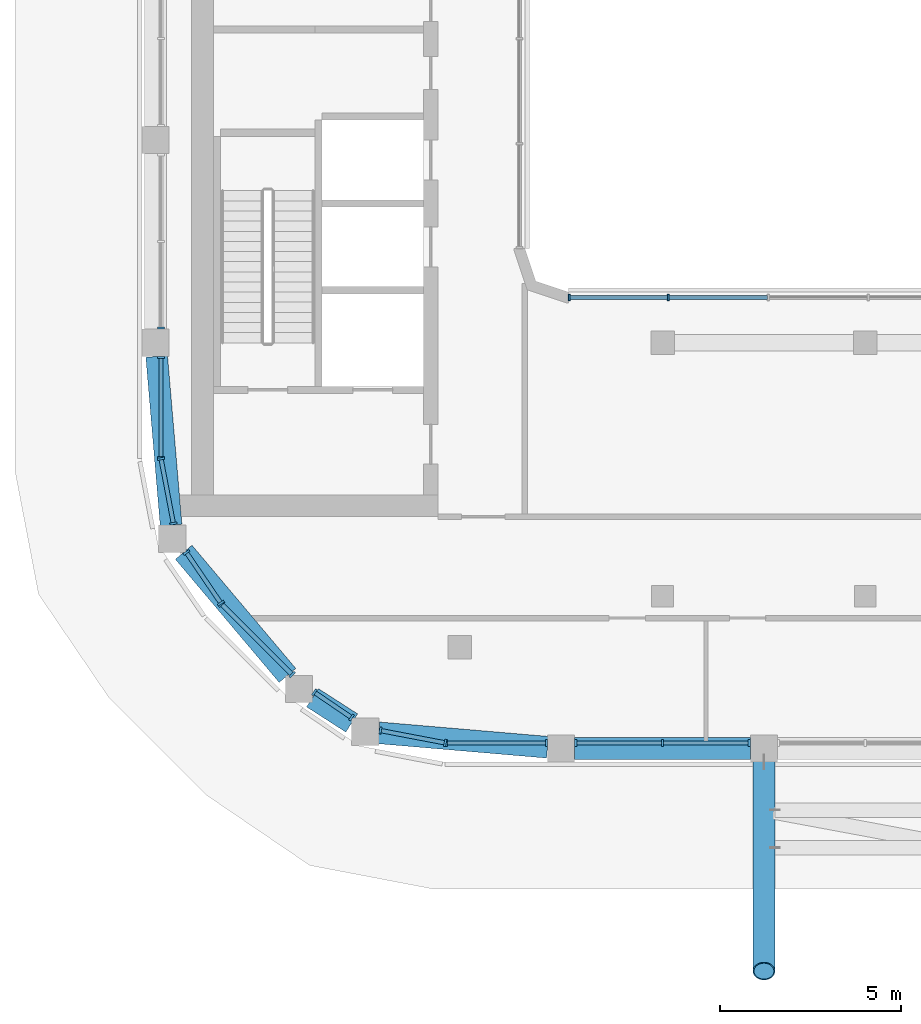
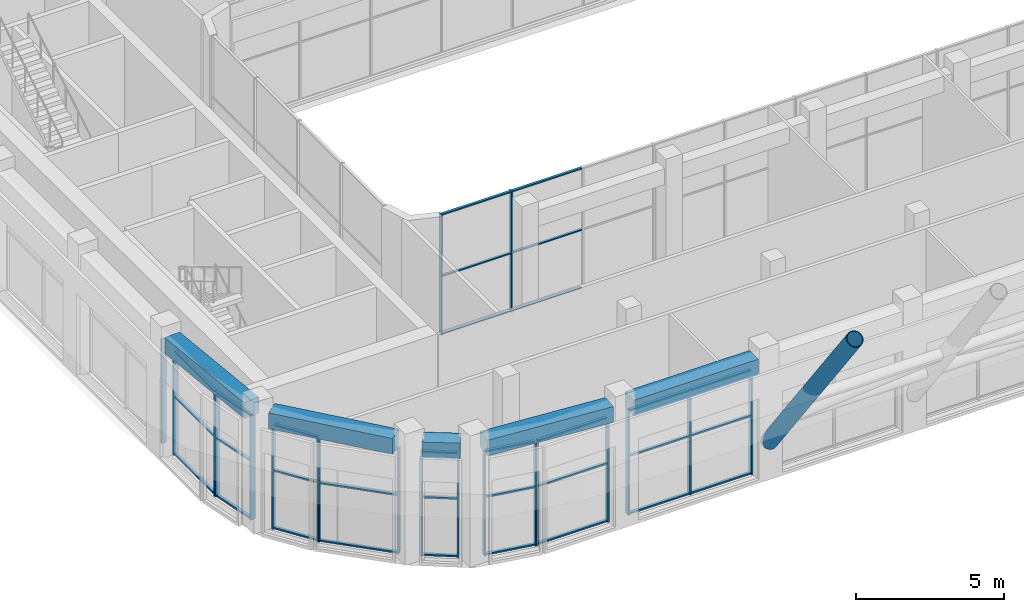
# One storey, part 2 of 24: 54 members, 5 beams, 10 elements without a shape of their own.
"""IFC4 building model written with IfcOpenShell, lengths in metres."""

from ifc_helpers import new_model, si_unit, direction, frame, origin, origin_2d, place, context, subcontext, project, spatial, rectangle, hollow_circle, extrude, material, layer, layer_set, material_profile, profile_set, type_object, element, aggregate, save


model = new_model("IFC4")

# Units and contexts
model_context = context("Model", 3, precision=1e-05, world=origin(), true_north=direction((0.0, 1.0)))
body_context = subcontext(model_context, "Body", "Model", "MODEL_VIEW")
ifc_project = project(units=[si_unit("LENGTHUNIT", "METRE"), si_unit("AREAUNIT", "SQUARE_METRE"), si_unit("VOLUMEUNIT", "CUBIC_METRE"), si_unit("PLANEANGLEUNIT", "RADIAN"), si_unit("MASSUNIT", "GRAM", prefix="KILO")], contexts=[model_context])

# Site, building, storey
site_placement = place(None, origin())
site = spatial("IfcSite", under=ifc_project, at=site_placement, CompositionType="ELEMENT")
building_placement = place(site_placement, origin())
building = spatial("IfcBuilding", under=site, at=building_placement, Name="Kiln Ring Residences", CompositionType="ELEMENT")
storey_placement = place(building_placement, frame((0.0, 0.0, 283.699951171875)))
storey = spatial("IfcBuildingStorey", under=building, at=storey_placement, Name="L74", CompositionType="ELEMENT", Elevation=283.699951171875)

# Curtain wall, members
ifc_material_1 = material(Name="Aluminium and glass", Category="aluminium")
ifc_layer_1 = layer(ifc_material_1, 0.199951171875)
ifc_layer_set_1 = layer_set([ifc_layer_1], Name="CW1 CURTAIN WALL")
curtain_wall_type_1 = type_object("IfcCurtainWallType", Name="CW1 CURTAIN WALL", PredefinedType="NOTDEFINED", material=ifc_layer_set_1)
placement = place(storey_placement, origin())
curtain_wall_1 = element("IfcCurtainWall", 1, at=placement, inside=storey, type_object=curtain_wall_type_1, Name="Curtain wall CW1 L74", PredefinedType="NOTDEFINED")
ifc_material_2 = material(Name="Aluminium 6063-T6", Category="aluminium")
ifc_material_profile_1 = material_profile(ifc_material_2, rectangle(XDim=0.199951171875, YDim=0.06005859375, at=origin_2d()), Name="AL 200x60")
ifc_profile_set_1 = profile_set([ifc_material_profile_1], Name="Aluminium 6063-T6")
member_type_1 = type_object("IfcMemberType", Name="CW1 MULLION 200 x 60", PredefinedType="MULLION", material=ifc_profile_set_1)
member_1_placement = place(storey_placement, frame((-23.375732421875, -15.6123046875, 0.0), z_axis=(0.0, 0.0, 1.0), x_axis=(0.707106781187, 0.707106781187, 0.0)))
member_1 = element("IfcMember", 2, at=member_1_placement, type_object=member_type_1, Name="CW1 mullion 1", PredefinedType="MULLION", context=body_context, shape_type="SweptSolid", body=[
    extrude(rectangle(XDim=0.199951171875, YDim=0.06005859375, at=origin_2d()), origin(), (0.0, 0.0, 1.0), 4.300048828125),
])
member_2_placement = place(storey_placement, frame((-21.42431640625, -17.5634765625, 0.0), z_axis=(0.0, 0.0, 1.0), x_axis=(0.707106781187, 0.707106781187, 0.0)))
member_2 = element("IfcMember", 3, at=member_2_placement, type_object=member_type_1, Name="CW1 mullion 2", PredefinedType="MULLION", context=body_context, shape_type="SweptSolid", body=[
    extrude(rectangle(XDim=0.199951171875, YDim=0.06005859375, at=origin_2d()), origin(), (0.0, 0.0, 1.0), 4.300048828125),
])

curtain_wall_2 = element("IfcCurtainWall", 4, at=placement, inside=storey, type_object=curtain_wall_type_1, Name="Curtain wall CW1 L74", PredefinedType="NOTDEFINED")
member_3_placement = place(storey_placement, frame((-20.8125, -18.051025390625, 0.0), z_axis=(0.0, 0.0, 1.0), x_axis=(0.562096651033, 0.827071553674, 0.0)))
member_3 = element("IfcMember", 5, at=member_3_placement, type_object=member_type_1, Name="CW1 mullion 1", PredefinedType="MULLION", context=body_context, shape_type="SweptSolid", body=[
    extrude(rectangle(XDim=0.199951171875, YDim=0.06005859375, at=origin_2d()), origin(), (0.0, 0.0, 1.0), 4.300048828125),
])
member_4_placement = place(storey_placement, frame((-19.789306640625, -18.746337890625, 0.0), z_axis=(0.0, 0.0, 1.0), x_axis=(0.562096651033, 0.827071553674, 0.0)))
member_4 = element("IfcMember", 6, at=member_4_placement, type_object=member_type_1, Name="CW1 mullion 2", PredefinedType="MULLION", context=body_context, shape_type="SweptSolid", body=[
    extrude(rectangle(XDim=0.199951171875, YDim=0.06005859375, at=origin_2d()), origin(), (0.0, 0.0, 1.0), 4.300048828125),
])

curtain_wall_3 = element("IfcCurtainWall", 7, at=placement, inside=storey, type_object=curtain_wall_type_1, Name="Curtain wall CW1 L74", PredefinedType="NOTDEFINED")
member_5_placement = place(storey_placement, frame((-18.990234375, -19.105712890625, 0.0), z_axis=(0.0, 0.0, 1.0), x_axis=(0.187365550364, 0.982290257784, 0.0)))
member_5 = element("IfcMember", 8, at=member_5_placement, type_object=member_type_1, Name="CW1 mullion 1", PredefinedType="MULLION", context=body_context, shape_type="SweptSolid", body=[
    extrude(rectangle(XDim=0.199951171875, YDim=0.06005859375, at=origin_2d()), origin(), (0.0, 0.0, 1.0), 4.300048828125),
])
member_6_placement = place(storey_placement, frame((-17.201416015625, -19.447021484375, 0.0), z_axis=(0.0, 0.0, 1.0), x_axis=(0.187365550364, 0.982290257784, 0.0)))
member_6 = element("IfcMember", 9, at=member_6_placement, type_object=member_type_1, Name="CW1 mullion 2", PredefinedType="MULLION", context=body_context, shape_type="SweptSolid", body=[
    extrude(rectangle(XDim=0.199951171875, YDim=0.06005859375, at=origin_2d()), origin(), (0.0, 0.0, 1.0), 4.300048828125),
])

curtain_wall_4 = element("IfcCurtainWall", 10, at=placement, inside=storey, type_object=curtain_wall_type_1, Name="Curtain wall CW1 L74", PredefinedType="NOTDEFINED")
member_7_placement = place(storey_placement, frame((-17.169921875, -19.449951171875, 0.0), z_axis=(0.0, 0.0, 1.0), x_axis=(0.0, 1.0, 0.0)))
member_7 = element("IfcMember", 11, at=member_7_placement, type_object=member_type_1, Name="CW1 mullion 1", PredefinedType="MULLION", context=body_context, shape_type="SweptSolid", body=[
    extrude(rectangle(XDim=0.199951171875, YDim=0.06005859375, at=origin_2d()), origin(), (0.0, 0.0, 1.0), 4.300048828125),
])
member_8_placement = place(storey_placement, frame((-14.405029296875, -19.449951171875, 0.0), z_axis=(0.0, 0.0, 1.0), x_axis=(0.0, 1.0, 0.0)))
member_8 = element("IfcMember", 12, at=member_8_placement, type_object=member_type_1, Name="CW1 mullion 2", PredefinedType="MULLION", context=body_context, shape_type="SweptSolid", body=[
    extrude(rectangle(XDim=0.199951171875, YDim=0.06005859375, at=origin_2d()), origin(), (0.0, 0.0, 1.0), 4.300048828125),
])

curtain_wall_5 = element("IfcCurtainWall", 13, at=placement, inside=storey, type_object=curtain_wall_type_1, Name="Curtain wall CW1 L74", PredefinedType="NOTDEFINED")
member_9_placement = place(storey_placement, frame((-13.594970703125, -19.449951171875, 0.0), z_axis=(0.0, 0.0, 1.0), x_axis=(0.0, 1.0, 0.0)))
member_9 = element("IfcMember", 14, at=member_9_placement, type_object=member_type_1, Name="CW1 mullion 1", PredefinedType="MULLION", context=body_context, shape_type="SweptSolid", body=[
    extrude(rectangle(XDim=0.199951171875, YDim=0.06005859375, at=origin_2d()), origin(), (0.0, 0.0, 1.0), 4.300048828125),
])
member_10_placement = place(storey_placement, frame((-11.199951171875, -19.449951171875, 0.0), z_axis=(0.0, 0.0, 1.0), x_axis=(0.0, 1.0, 0.0)))
member_10 = element("IfcMember", 15, at=member_10_placement, type_object=member_type_1, Name="CW1 mullion 2", PredefinedType="MULLION", context=body_context, shape_type="SweptSolid", body=[
    extrude(rectangle(XDim=0.199951171875, YDim=0.06005859375, at=origin_2d()), origin(), (0.0, 0.0, 1.0), 4.300048828125),
])
member_11_placement = place(storey_placement, frame((-8.804931640625, -19.449951171875, 0.0), z_axis=(0.0, 0.0, 1.0), x_axis=(0.0, 1.0, 0.0)))
member_11 = element("IfcMember", 16, at=member_11_placement, type_object=member_type_1, Name="CW1 mullion 3", PredefinedType="MULLION", context=body_context, shape_type="SweptSolid", body=[
    extrude(rectangle(XDim=0.199951171875, YDim=0.06005859375, at=origin_2d()), origin(), (0.0, 0.0, 1.0), 4.300048828125),
])

# Curtain wall, member
curtain_wall_6 = element("IfcCurtainWall", 17, at=placement, inside=storey, type_object=curtain_wall_type_1, Name="Curtain wall CW1 L74", PredefinedType="NOTDEFINED")
member_12_placement = place(storey_placement, frame((-25.050048828125, -7.9951171875, 0.0), z_axis=(0.0, 0.0, 1.0), x_axis=(1.0, 0.0, 0.0)))
member_12 = element("IfcMember", 18, at=member_12_placement, type_object=member_type_1, Name="CW1 mullion 3", PredefinedType="MULLION", context=body_context, shape_type="SweptSolid", body=[
    extrude(rectangle(XDim=0.199951171875, YDim=0.06005859375, at=origin_2d()), origin(), (0.0, 0.0, 1.0), 4.300048828125),
])
aggregate(curtain_wall_6, [member_12])

# Curtain wall, members
curtain_wall_7 = element("IfcCurtainWall", 19, at=placement, inside=storey, type_object=curtain_wall_type_1, Name="Curtain wall CW1 L74", PredefinedType="NOTDEFINED")
member_13_placement = place(storey_placement, frame((-25.050048828125, -8.804931640625, 0.0), z_axis=(0.0, 0.0, 1.0), x_axis=(1.0, 0.0, 0.0)))
member_13 = element("IfcMember", 20, at=member_13_placement, type_object=member_type_1, Name="CW1 mullion 1", PredefinedType="MULLION", context=body_context, shape_type="SweptSolid", body=[
    extrude(rectangle(XDim=0.199951171875, YDim=0.06005859375, at=origin_2d()), origin(), (0.0, 0.0, 1.0), 4.300048828125),
])
member_14_placement = place(storey_placement, frame((-25.050048828125, -11.570068359375, 0.0), z_axis=(0.0, 0.0, 1.0), x_axis=(1.0, 0.0, 0.0)))
member_14 = element("IfcMember", 21, at=member_14_placement, type_object=member_type_1, Name="CW1 mullion 2", PredefinedType="MULLION", context=body_context, shape_type="SweptSolid", body=[
    extrude(rectangle(XDim=0.199951171875, YDim=0.06005859375, at=origin_2d()), origin(), (0.0, 0.0, 1.0), 4.300048828125),
])

curtain_wall_8 = element("IfcCurtainWall", 22, at=placement, inside=storey, type_object=curtain_wall_type_1, Name="Curtain wall CW1 L74", PredefinedType="NOTDEFINED")
member_15_placement = place(storey_placement, frame((-25.047119140625, -11.601318359375, 0.0), z_axis=(0.0, 0.0, 1.0), x_axis=(0.982290257784, 0.187365550364, 0.0)))
member_15 = element("IfcMember", 23, at=member_15_placement, type_object=member_type_1, Name="CW1 mullion 1", PredefinedType="MULLION", context=body_context, shape_type="SweptSolid", body=[
    extrude(rectangle(XDim=0.199951171875, YDim=0.06005859375, at=origin_2d()), origin(), (0.0, 0.0, 1.0), 4.300048828125),
])
member_16_placement = place(storey_placement, frame((-24.705810546875, -13.39013671875, 0.0), z_axis=(0.0, 0.0, 1.0), x_axis=(0.982290257784, 0.187365550364, 0.0)))
member_16 = element("IfcMember", 24, at=member_16_placement, type_object=member_type_1, Name="CW1 mullion 2", PredefinedType="MULLION", context=body_context, shape_type="SweptSolid", body=[
    extrude(rectangle(XDim=0.199951171875, YDim=0.06005859375, at=origin_2d()), origin(), (0.0, 0.0, 1.0), 4.300048828125),
])

curtain_wall_9 = element("IfcCurtainWall", 25, at=placement, inside=storey, type_object=curtain_wall_type_1, Name="Curtain wall CW1 L74", PredefinedType="NOTDEFINED")
member_17_placement = place(storey_placement, frame((-24.34619140625, -14.189453125, 0.0), z_axis=(0.0, 0.0, 1.0), x_axis=(0.827071553606, 0.562096651134, 0.0)))
member_17 = element("IfcMember", 26, at=member_17_placement, type_object=member_type_1, Name="CW1 mullion 1", PredefinedType="MULLION", context=body_context, shape_type="SweptSolid", body=[
    extrude(rectangle(XDim=0.199951171875, YDim=0.06005859375, at=origin_2d()), origin(), (0.0, 0.0, 1.0), 4.300048828125),
])
member_18_placement = place(storey_placement, frame((-23.395751953125, -15.587890625, 0.0), z_axis=(0.0, 0.0, 1.0), x_axis=(0.827071553606, 0.562096651134, 0.0)))
member_18 = element("IfcMember", 27, at=member_18_placement, type_object=member_type_1, Name="CW1 mullion 2", PredefinedType="MULLION", context=body_context, shape_type="SweptSolid", body=[
    extrude(rectangle(XDim=0.199951171875, YDim=0.06005859375, at=origin_2d()), origin(), (0.0, 0.0, 1.0), 4.300048828125),
])

# Member
ifc_material_3 = material(Name="Aluminium 6063-T6", Category="aluminium")
ifc_material_profile_2 = material_profile(ifc_material_3, rectangle(XDim=0.1201171875, YDim=0.06005859375, at=origin_2d()), Name="AL 120x60")
ifc_profile_set_2 = profile_set([ifc_material_profile_2], Name="Aluminium 6063-T6")
member_type_2 = type_object("IfcMemberType", Name="CW1 TRANSOM 120 x 60", PredefinedType="USERDEFINED", material=ifc_profile_set_2)
member_19_placement = place(storey_placement, frame((-23.3544921875, -15.63330078125, 0.030029296875), z_axis=(0.707061565419, -0.707151994063, 0.0), x_axis=(0.707151994063, 0.707061565419, 0.0)))
member_19 = element("IfcMember", 28, at=member_19_placement, type_object=member_type_2, Name="CW1 transom 1.1", ObjectType="TRANSOM", PredefinedType="USERDEFINED", context=body_context, shape_type="SweptSolid", body=[
    extrude(rectangle(XDim=0.1201171875, YDim=0.06005859375, at=origin_2d()), origin(), (0.0, 0.0, 1.0), 2.69970703125),
])

member_20_placement = place(storey_placement, frame((-23.3544921875, -15.63330078125, 2.400146484375), z_axis=(0.707061565419, -0.707151994063, 0.0), x_axis=(0.707151994063, 0.707061565419, 0.0)))
member_20 = element("IfcMember", 29, at=member_20_placement, type_object=member_type_2, Name="CW1 transom 1.2", ObjectType="TRANSOM", PredefinedType="USERDEFINED", context=body_context, shape_type="SweptSolid", body=[
    extrude(rectangle(XDim=0.1201171875, YDim=0.06005859375, at=origin_2d()), origin(), (0.0, 0.0, 1.0), 2.69970703125),
])

member_21_placement = place(storey_placement, frame((-23.3544921875, -15.63330078125, 4.27001953125), z_axis=(0.707061565419, -0.707151994063, 0.0), x_axis=(0.707151994063, 0.707061565419, 0.0)))
member_21 = element("IfcMember", 30, at=member_21_placement, type_object=member_type_2, Name="CW1 transom 1.3", ObjectType="TRANSOM", PredefinedType="USERDEFINED", context=body_context, shape_type="SweptSolid", body=[
    extrude(rectangle(XDim=0.1201171875, YDim=0.06005859375, at=origin_2d()), origin(), (0.0, 0.0, 1.0), 2.69970703125),
])

aggregate(curtain_wall_1, [member_1, member_2, member_19, member_20, member_21])

member_22_placement = place(storey_placement, frame((-20.78759765625, -18.06787109375, 0.030029296875), z_axis=(0.827038372833, -0.562145470373, 0.0), x_axis=(0.562145470373, 0.827038372833, 0.0)))
member_22 = element("IfcMember", 31, at=member_22_placement, type_object=member_type_2, Name="CW1 transom 1.1", ObjectType="TRANSOM", PredefinedType="USERDEFINED", context=body_context, shape_type="SweptSolid", body=[
    extrude(rectangle(XDim=0.1201171875, YDim=0.06005859375, at=origin_2d()), origin(), (0.0, 0.0, 1.0), 1.177001953125),
])

member_23_placement = place(storey_placement, frame((-20.78759765625, -18.06787109375, 2.400146484375), z_axis=(0.827038372833, -0.562145470373, 0.0), x_axis=(0.562145470373, 0.827038372833, 0.0)))
member_23 = element("IfcMember", 32, at=member_23_placement, type_object=member_type_2, Name="CW1 transom 1.2", ObjectType="TRANSOM", PredefinedType="USERDEFINED", context=body_context, shape_type="SweptSolid", body=[
    extrude(rectangle(XDim=0.1201171875, YDim=0.06005859375, at=origin_2d()), origin(), (0.0, 0.0, 1.0), 1.177001953125),
])

member_24_placement = place(storey_placement, frame((-20.78759765625, -18.06787109375, 4.27001953125), z_axis=(0.827038372833, -0.562145470373, 0.0), x_axis=(0.562145470373, 0.827038372833, 0.0)))
member_24 = element("IfcMember", 33, at=member_24_placement, type_object=member_type_2, Name="CW1 transom 1.3", ObjectType="TRANSOM", PredefinedType="USERDEFINED", context=body_context, shape_type="SweptSolid", body=[
    extrude(rectangle(XDim=0.1201171875, YDim=0.06005859375, at=origin_2d()), origin(), (0.0, 0.0, 1.0), 1.177001953125),
])

aggregate(curtain_wall_2, [member_3, member_4, member_22, member_23, member_24])

member_25_placement = place(storey_placement, frame((-18.960693359375, -19.111328125, 0.030029296875), z_axis=(0.982280279114, -0.187417857375, 0.0), x_axis=(0.187417857375, 0.982280279114, 0.0)))
member_25 = element("IfcMember", 34, at=member_25_placement, type_object=member_type_2, Name="CW1 transom 1.1", ObjectType="TRANSOM", PredefinedType="USERDEFINED", context=body_context, shape_type="SweptSolid", body=[
    extrude(rectangle(XDim=0.1201171875, YDim=0.06005859375, at=origin_2d()), origin(), (0.0, 0.0, 1.0), 1.76123046875),
])

member_26_placement = place(storey_placement, frame((-18.960693359375, -19.111328125, 2.400146484375), z_axis=(0.982280279114, -0.187417857375, 0.0), x_axis=(0.187417857375, 0.982280279114, 0.0)))
member_26 = element("IfcMember", 35, at=member_26_placement, type_object=member_type_2, Name="CW1 transom 1.2", ObjectType="TRANSOM", PredefinedType="USERDEFINED", context=body_context, shape_type="SweptSolid", body=[
    extrude(rectangle(XDim=0.1201171875, YDim=0.06005859375, at=origin_2d()), origin(), (0.0, 0.0, 1.0), 1.76123046875),
])

member_27_placement = place(storey_placement, frame((-18.960693359375, -19.111328125, 4.27001953125), z_axis=(0.982280279114, -0.187417857375, 0.0), x_axis=(0.187417857375, 0.982280279114, 0.0)))
member_27 = element("IfcMember", 36, at=member_27_placement, type_object=member_type_2, Name="CW1 transom 1.3", ObjectType="TRANSOM", PredefinedType="USERDEFINED", context=body_context, shape_type="SweptSolid", body=[
    extrude(rectangle(XDim=0.1201171875, YDim=0.06005859375, at=origin_2d()), origin(), (0.0, 0.0, 1.0), 1.76123046875),
])

aggregate(curtain_wall_3, [member_5, member_6, member_25, member_26, member_27])

member_28_placement = place(storey_placement, frame((-17.139892578125, -19.449951171875, 0.030029296875), z_axis=(1.0, 0.0, 0.0), x_axis=(0.0, 1.0, 0.0)))
member_28 = element("IfcMember", 37, at=member_28_placement, type_object=member_type_2, Name="CW1 transom 1.1", ObjectType="TRANSOM", PredefinedType="USERDEFINED", context=body_context, shape_type="SweptSolid", body=[
    extrude(rectangle(XDim=0.1201171875, YDim=0.06005859375, at=origin_2d()), origin(), (0.0, 0.0, 1.0), 2.704833984375),
])

member_29_placement = place(storey_placement, frame((-17.139892578125, -19.449951171875, 2.400146484375), z_axis=(1.0, 0.0, 0.0), x_axis=(0.0, 1.0, 0.0)))
member_29 = element("IfcMember", 38, at=member_29_placement, type_object=member_type_2, Name="CW1 transom 1.2", ObjectType="TRANSOM", PredefinedType="USERDEFINED", context=body_context, shape_type="SweptSolid", body=[
    extrude(rectangle(XDim=0.1201171875, YDim=0.06005859375, at=origin_2d()), origin(), (0.0, 0.0, 1.0), 2.704833984375),
])

member_30_placement = place(storey_placement, frame((-17.139892578125, -19.449951171875, 4.27001953125), z_axis=(1.0, 0.0, 0.0), x_axis=(0.0, 1.0, 0.0)))
member_30 = element("IfcMember", 39, at=member_30_placement, type_object=member_type_2, Name="CW1 transom 1.3", ObjectType="TRANSOM", PredefinedType="USERDEFINED", context=body_context, shape_type="SweptSolid", body=[
    extrude(rectangle(XDim=0.1201171875, YDim=0.06005859375, at=origin_2d()), origin(), (0.0, 0.0, 1.0), 2.704833984375),
])

aggregate(curtain_wall_4, [member_7, member_8, member_28, member_29, member_30])

member_31_placement = place(storey_placement, frame((-13.56494140625, -19.449951171875, 0.030029296875), z_axis=(1.0, 0.0, 0.0), x_axis=(0.0, 1.0, 0.0)))
member_31 = element("IfcMember", 40, at=member_31_placement, type_object=member_type_2, Name="CW1 transom 1.1", ObjectType="TRANSOM", PredefinedType="USERDEFINED", context=body_context, shape_type="SweptSolid", body=[
    extrude(rectangle(XDim=0.1201171875, YDim=0.06005859375, at=origin_2d()), origin(), (0.0, 0.0, 1.0), 2.3349609375),
])

member_32_placement = place(storey_placement, frame((-13.56494140625, -19.449951171875, 2.400146484375), z_axis=(1.0, 0.0, 0.0), x_axis=(0.0, 1.0, 0.0)))
member_32 = element("IfcMember", 41, at=member_32_placement, type_object=member_type_2, Name="CW1 transom 1.2", ObjectType="TRANSOM", PredefinedType="USERDEFINED", context=body_context, shape_type="SweptSolid", body=[
    extrude(rectangle(XDim=0.1201171875, YDim=0.06005859375, at=origin_2d()), origin(), (0.0, 0.0, 1.0), 2.3349609375),
])

member_33_placement = place(storey_placement, frame((-13.56494140625, -19.449951171875, 4.27001953125), z_axis=(1.0, 0.0, 0.0), x_axis=(0.0, 1.0, 0.0)))
member_33 = element("IfcMember", 42, at=member_33_placement, type_object=member_type_2, Name="CW1 transom 1.3", ObjectType="TRANSOM", PredefinedType="USERDEFINED", context=body_context, shape_type="SweptSolid", body=[
    extrude(rectangle(XDim=0.1201171875, YDim=0.06005859375, at=origin_2d()), origin(), (0.0, 0.0, 1.0), 2.3349609375),
])

member_34_placement = place(storey_placement, frame((-11.169921875, -19.449951171875, 0.030029296875), z_axis=(1.0, 0.0, 0.0), x_axis=(0.0, 1.0, 0.0)))
member_34 = element("IfcMember", 43, at=member_34_placement, type_object=member_type_2, Name="CW1 transom 2.1", ObjectType="TRANSOM", PredefinedType="USERDEFINED", context=body_context, shape_type="SweptSolid", body=[
    extrude(rectangle(XDim=0.1201171875, YDim=0.06005859375, at=origin_2d()), origin(), (0.0, 0.0, 1.0), 2.3349609375),
])

member_35_placement = place(storey_placement, frame((-11.169921875, -19.449951171875, 2.400146484375), z_axis=(1.0, 0.0, 0.0), x_axis=(0.0, 1.0, 0.0)))
member_35 = element("IfcMember", 44, at=member_35_placement, type_object=member_type_2, Name="CW1 transom 2.2", ObjectType="TRANSOM", PredefinedType="USERDEFINED", context=body_context, shape_type="SweptSolid", body=[
    extrude(rectangle(XDim=0.1201171875, YDim=0.06005859375, at=origin_2d()), origin(), (0.0, 0.0, 1.0), 2.3349609375),
])

member_36_placement = place(storey_placement, frame((-11.169921875, -19.449951171875, 4.27001953125), z_axis=(1.0, 0.0, 0.0), x_axis=(0.0, 1.0, 0.0)))
member_36 = element("IfcMember", 45, at=member_36_placement, type_object=member_type_2, Name="CW1 transom 2.3", ObjectType="TRANSOM", PredefinedType="USERDEFINED", context=body_context, shape_type="SweptSolid", body=[
    extrude(rectangle(XDim=0.1201171875, YDim=0.06005859375, at=origin_2d()), origin(), (0.0, 0.0, 1.0), 2.3349609375),
])

aggregate(curtain_wall_5, [member_9, member_10, member_11, member_31, member_32, member_33, member_34, member_35, member_36])

member_37_placement = place(storey_placement, frame((-25.050048828125, -8.8349609375, 0.030029296875), z_axis=(0.0, -1.0, 0.0), x_axis=(1.0, 0.0, 0.0)))
member_37 = element("IfcMember", 46, at=member_37_placement, type_object=member_type_2, Name="CW1 transom 1.1", ObjectType="TRANSOM", PredefinedType="USERDEFINED", context=body_context, shape_type="SweptSolid", body=[
    extrude(rectangle(XDim=0.1201171875, YDim=0.06005859375, at=origin_2d()), origin(), (0.0, 0.0, 1.0), 2.705078125),
])

member_38_placement = place(storey_placement, frame((-25.050048828125, -8.8349609375, 2.400146484375), z_axis=(0.0, -1.0, 0.0), x_axis=(1.0, 0.0, 0.0)))
member_38 = element("IfcMember", 47, at=member_38_placement, type_object=member_type_2, Name="CW1 transom 1.2", ObjectType="TRANSOM", PredefinedType="USERDEFINED", context=body_context, shape_type="SweptSolid", body=[
    extrude(rectangle(XDim=0.1201171875, YDim=0.06005859375, at=origin_2d()), origin(), (0.0, 0.0, 1.0), 2.705078125),
])

member_39_placement = place(storey_placement, frame((-25.050048828125, -8.8349609375, 4.27001953125), z_axis=(0.0, -1.0, 0.0), x_axis=(1.0, 0.0, 0.0)))
member_39 = element("IfcMember", 48, at=member_39_placement, type_object=member_type_2, Name="CW1 transom 1.3", ObjectType="TRANSOM", PredefinedType="USERDEFINED", context=body_context, shape_type="SweptSolid", body=[
    extrude(rectangle(XDim=0.1201171875, YDim=0.06005859375, at=origin_2d()), origin(), (0.0, 0.0, 1.0), 2.705078125),
])

aggregate(curtain_wall_7, [member_13, member_14, member_37, member_38, member_39])

member_40_placement = place(storey_placement, frame((-25.04150390625, -11.630859375, 0.030029296875), z_axis=(0.187417857375, -0.982280279114, 0.0), x_axis=(0.982280279114, 0.187417857375, 0.0)))
member_40 = element("IfcMember", 49, at=member_40_placement, type_object=member_type_2, Name="CW1 transom 1.1", ObjectType="TRANSOM", PredefinedType="USERDEFINED", context=body_context, shape_type="SweptSolid", body=[
    extrude(rectangle(XDim=0.1201171875, YDim=0.06005859375, at=origin_2d()), origin(), (0.0, 0.0, 1.0), 1.76123046875),
])

member_41_placement = place(storey_placement, frame((-25.04150390625, -11.630859375, 2.400146484375), z_axis=(0.187417857375, -0.982280279114, 0.0), x_axis=(0.982280279114, 0.187417857375, 0.0)))
member_41 = element("IfcMember", 50, at=member_41_placement, type_object=member_type_2, Name="CW1 transom 1.2", ObjectType="TRANSOM", PredefinedType="USERDEFINED", context=body_context, shape_type="SweptSolid", body=[
    extrude(rectangle(XDim=0.1201171875, YDim=0.06005859375, at=origin_2d()), origin(), (0.0, 0.0, 1.0), 1.76123046875),
])

member_42_placement = place(storey_placement, frame((-25.04150390625, -11.630859375, 4.27001953125), z_axis=(0.187417857375, -0.982280279114, 0.0), x_axis=(0.982280279114, 0.187417857375, 0.0)))
member_42 = element("IfcMember", 51, at=member_42_placement, type_object=member_type_2, Name="CW1 transom 1.3", ObjectType="TRANSOM", PredefinedType="USERDEFINED", context=body_context, shape_type="SweptSolid", body=[
    extrude(rectangle(XDim=0.1201171875, YDim=0.06005859375, at=origin_2d()), origin(), (0.0, 0.0, 1.0), 1.76123046875),
])

aggregate(curtain_wall_8, [member_15, member_16, member_40, member_41, member_42])

member_43_placement = place(storey_placement, frame((-24.329345703125, -14.214111328125, 0.030029296875), z_axis=(0.562035692516, -0.827112979186, 0.0), x_axis=(0.827112979186, 0.562035692516, 0.0)))
member_43 = element("IfcMember", 52, at=member_43_placement, type_object=member_type_2, Name="CW1 transom 1.1", ObjectType="TRANSOM", PredefinedType="USERDEFINED", context=body_context, shape_type="SweptSolid", body=[
    extrude(rectangle(XDim=0.1201171875, YDim=0.06005859375, at=origin_2d()), origin(), (0.0, 0.0, 1.0), 1.631103515625),
])

member_44_placement = place(storey_placement, frame((-24.329345703125, -14.214111328125, 2.400146484375), z_axis=(0.562035692516, -0.827112979186, 0.0), x_axis=(0.827112979186, 0.562035692516, 0.0)))
member_44 = element("IfcMember", 53, at=member_44_placement, type_object=member_type_2, Name="CW1 transom 1.2", ObjectType="TRANSOM", PredefinedType="USERDEFINED", context=body_context, shape_type="SweptSolid", body=[
    extrude(rectangle(XDim=0.1201171875, YDim=0.06005859375, at=origin_2d()), origin(), (0.0, 0.0, 1.0), 1.631103515625),
])

member_45_placement = place(storey_placement, frame((-24.329345703125, -14.214111328125, 4.27001953125), z_axis=(0.562035692516, -0.827112979186, 0.0), x_axis=(0.827112979186, 0.562035692516, 0.0)))
member_45 = element("IfcMember", 54, at=member_45_placement, type_object=member_type_2, Name="CW1 transom 1.3", ObjectType="TRANSOM", PredefinedType="USERDEFINED", context=body_context, shape_type="SweptSolid", body=[
    extrude(rectangle(XDim=0.1201171875, YDim=0.06005859375, at=origin_2d()), origin(), (0.0, 0.0, 1.0), 1.631103515625),
])

aggregate(curtain_wall_9, [member_17, member_18, member_43, member_44, member_45])

# Curtain wall, members
ifc_material_4 = material(Name="Aluminium and glass", Category="aluminium")
ifc_layer_2 = layer(ifc_material_4, 0.179931640625)
ifc_layer_set_2 = layer_set([ifc_layer_2], Name="CW3 CURTAIN WALL")
curtain_wall_type_2 = type_object("IfcCurtainWallType", Name="CW3 CURTAIN WALL", PredefinedType="NOTDEFINED", material=ifc_layer_set_2)
curtain_wall_10 = element("IfcCurtainWall", 55, at=placement, inside=storey, type_object=curtain_wall_type_2, Name="Curtain wall CW3 L74", PredefinedType="NOTDEFINED")
ifc_material_5 = material(Name="Aluminium 6063-T6", Category="aluminium")
ifc_material_profile_3 = material_profile(ifc_material_5, rectangle(XDim=0.179931640625, YDim=0.050048828125, at=origin_2d()), Name="AL 180x50")
ifc_profile_set_3 = profile_set([ifc_material_profile_3], Name="Aluminium 6063-T6")
member_type_3 = type_object("IfcMemberType", Name="CW3 MULLION 180 x 50", PredefinedType="MULLION", material=ifc_profile_set_3)
member_46_placement = place(storey_placement, frame((-11.0400390625, -7.14990234375, 0.0), z_axis=(0.0, 0.0, 1.0), x_axis=(0.0, -1.0, 0.0)))
member_46 = element("IfcMember", 56, at=member_46_placement, type_object=member_type_3, Name="CW3 mullion 10", PredefinedType="MULLION", context=body_context, shape_type="SweptSolid", body=[
    extrude(rectangle(XDim=0.179931640625, YDim=0.050048828125, at=origin_2d()), origin(), (0.0, 0.0, 1.0), 4.949951171875),
])
member_47_placement = place(storey_placement, frame((-13.77490234375, -7.14990234375, 0.0), z_axis=(0.0, 0.0, 1.0), x_axis=(0.0, -1.0, 0.0)))
member_47 = element("IfcMember", 57, at=member_47_placement, type_object=member_type_3, Name="CW3 mullion 11", PredefinedType="MULLION", context=body_context, shape_type="SweptSolid", body=[
    extrude(rectangle(XDim=0.179931640625, YDim=0.050048828125, at=origin_2d()), origin(), (0.0, 0.0, 1.0), 4.949951171875),
])
ifc_material_6 = material(Name="Aluminium 6063-T6", Category="aluminium")
ifc_material_profile_4 = material_profile(ifc_material_6, rectangle(XDim=0.10009765625, YDim=0.050048828125, at=origin_2d()), Name="AL 100x50")
ifc_profile_set_4 = profile_set([ifc_material_profile_4], Name="Aluminium 6063-T6")
member_type_4 = type_object("IfcMemberType", Name="CW3 TRANSOM 100 x 50", PredefinedType="USERDEFINED", material=ifc_profile_set_4)
member_48_placement = place(storey_placement, frame((-8.304931640625, -7.14990234375, 0.025146484375), z_axis=(-1.0, 0.0, 0.0), x_axis=(0.0, -1.0, 0.0)))
member_48 = element("IfcMember", 58, at=member_48_placement, type_object=member_type_4, Name="CW3 transom 9.1", ObjectType="TRANSOM", PredefinedType="USERDEFINED", context=body_context, shape_type="SweptSolid", body=[
    extrude(rectangle(XDim=0.10009765625, YDim=0.050048828125, at=origin_2d()), origin(), (0.0, 0.0, 1.0), 2.7099609375),
])
member_49_placement = place(storey_placement, frame((-8.304931640625, -7.14990234375, 2.400146484375), z_axis=(-1.0, 0.0, 0.0), x_axis=(0.0, -1.0, 0.0)))
member_49 = element("IfcMember", 59, at=member_49_placement, type_object=member_type_4, Name="CW3 transom 9.2", ObjectType="TRANSOM", PredefinedType="USERDEFINED", context=body_context, shape_type="SweptSolid", body=[
    extrude(rectangle(XDim=0.10009765625, YDim=0.050048828125, at=origin_2d()), origin(), (0.0, 0.0, 1.0), 2.7099609375),
])
member_50_placement = place(storey_placement, frame((-8.304931640625, -7.14990234375, 4.925048828125), z_axis=(-1.0, 0.0, 0.0), x_axis=(0.0, -1.0, 0.0)))
member_50 = element("IfcMember", 60, at=member_50_placement, type_object=member_type_4, Name="CW3 transom 9.3", ObjectType="TRANSOM", PredefinedType="USERDEFINED", context=body_context, shape_type="SweptSolid", body=[
    extrude(rectangle(XDim=0.10009765625, YDim=0.050048828125, at=origin_2d()), origin(), (0.0, 0.0, 1.0), 2.7099609375),
])
member_51_placement = place(storey_placement, frame((-11.06494140625, -7.14990234375, 0.025146484375), z_axis=(-1.0, 0.0, 0.0), x_axis=(0.0, -1.0, 0.0)))
member_51 = element("IfcMember", 61, at=member_51_placement, type_object=member_type_4, Name="CW3 transom 10.1", ObjectType="TRANSOM", PredefinedType="USERDEFINED", context=body_context, shape_type="SweptSolid", body=[
    extrude(rectangle(XDim=0.10009765625, YDim=0.050048828125, at=origin_2d()), origin(), (0.0, 0.0, 1.0), 2.68505859375),
])
member_52_placement = place(storey_placement, frame((-11.06494140625, -7.14990234375, 2.400146484375), z_axis=(-1.0, 0.0, 0.0), x_axis=(0.0, -1.0, 0.0)))
member_52 = element("IfcMember", 62, at=member_52_placement, type_object=member_type_4, Name="CW3 transom 10.2", ObjectType="TRANSOM", PredefinedType="USERDEFINED", context=body_context, shape_type="SweptSolid", body=[
    extrude(rectangle(XDim=0.10009765625, YDim=0.050048828125, at=origin_2d()), origin(), (0.0, 0.0, 1.0), 2.68505859375),
])
member_53_placement = place(storey_placement, frame((-11.06494140625, -7.14990234375, 4.925048828125), z_axis=(-1.0, 0.0, 0.0), x_axis=(0.0, -1.0, 0.0)))
member_53 = element("IfcMember", 63, at=member_53_placement, type_object=member_type_4, Name="CW3 transom 10.3", ObjectType="TRANSOM", PredefinedType="USERDEFINED", context=body_context, shape_type="SweptSolid", body=[
    extrude(rectangle(XDim=0.10009765625, YDim=0.050048828125, at=origin_2d()), origin(), (0.0, 0.0, 1.0), 2.68505859375),
])
aggregate(curtain_wall_10, [member_46, member_47, member_48, member_49, member_50, member_51, member_52, member_53])

# Member
ifc_material_7 = material(Name="Steel S460", Category="steel")
ifc_material_profile_5 = material_profile(ifc_material_7, hollow_circle(Radius=0.304931640625, WallThickness=0.030029296875, at=origin_2d()), Name="CHS610x30")
ifc_profile_set_5 = profile_set([ifc_material_profile_5], Name="Steel S460")
member_type_5 = type_object("IfcMemberType", Name="Pool knee brace CHS610x30 S460", PredefinedType="BRACE", material=ifc_profile_set_5)
member_54_placement = place(storey_placement, frame((-8.39990234375, -19.97509765625, 1.5), z_axis=(0.0, -0.59999594151, 0.800003043852), x_axis=(1.0, 0.0, 0.0)))
element("IfcMember", 64, at=member_54_placement, inside=storey, type_object=member_type_5, Name="Pool knee brace L74 1", PredefinedType="BRACE", context=body_context, shape_type="SweptSolid", body=[
    extrude(hollow_circle(Radius=0.304931640625, WallThickness=0.030029296875, at=origin_2d()), origin(), (0.0, 0.0, 1.0), 9.625),
])

# Beams
ifc_material_8 = material(Name="Concrete C50/60", Category="concrete")
ifc_material_profile_6 = material_profile(ifc_material_8, rectangle(XDim=0.60009765625, YDim=0.64990234375, at=origin_2d()), Name="RC600x650")
ifc_profile_set_6 = profile_set([ifc_material_profile_6], Name="Concrete C50/60")
beam_type = type_object("IfcBeamType", Name="Spandrel beam RC600x650 C50/60", PredefinedType="SPANDREL", material=ifc_profile_set_6)
beam_1_placement = place(storey_placement, frame((-19.03369140625, -19.170166015625, 4.625), z_axis=(0.996375913916, -0.085059027553, 0.0), x_axis=(0.085059027553, 0.996375913916, 0.0)))
element("IfcBeam", 65, at=beam_1_placement, inside=storey, type_object=beam_type, Name="Spandrel beam L74 1", PredefinedType="SPANDREL", context=body_context, shape_type="SweptSolid", body=[
    extrude(rectangle(XDim=0.60009765625, YDim=0.64990234375, at=origin_2d()), origin(), (0.0, 0.0, 1.0), 4.675537109375),
])
beam_2_placement = place(storey_placement, frame((-13.625, -19.60009765625, 4.625), z_axis=(1.0, 0.0, 0.0), x_axis=(0.0, 1.0, 0.0)))
element("IfcBeam", 66, at=beam_2_placement, inside=storey, type_object=beam_type, Name="Spandrel beam L74 2", PredefinedType="SPANDREL", context=body_context, shape_type="SweptSolid", body=[
    extrude(rectangle(XDim=0.60009765625, YDim=0.64990234375, at=origin_2d()), origin(), (0.0, 0.0, 1.0), 4.85009765625),
])
beam_3_placement = place(storey_placement, frame((-25.16796875, -8.77490234375, 4.625), z_axis=(0.085110864913, -0.996371487285, 0.0), x_axis=(0.996371487285, 0.085110864913, 0.0)))
element("IfcBeam", 67, at=beam_3_placement, inside=storey, type_object=beam_type, Name="Spandrel beam L74 30", PredefinedType="SPANDREL", context=body_context, shape_type="SweptSolid", body=[
    extrude(rectangle(XDim=0.60009765625, YDim=0.64990234375, at=origin_2d()), origin(), (0.0, 0.0, 1.0), 4.675537109375),
])
beam_4_placement = place(storey_placement, frame((-24.422119140625, -14.18359375, 4.625), z_axis=(0.644380815325, -0.764704756648, 0.0), x_axis=(0.764704756648, 0.644380815325, 0.0)))
element("IfcBeam", 68, at=beam_4_placement, inside=storey, type_object=beam_type, Name="Spandrel beam L74 31", PredefinedType="SPANDREL", context=body_context, shape_type="SweptSolid", body=[
    extrude(rectangle(XDim=0.60009765625, YDim=0.64990234375, at=origin_2d()), origin(), (0.0, 0.0, 1.0), 4.447509765625),
])
beam_5_placement = place(storey_placement, frame((-20.865234375, -18.201171875, 4.625), z_axis=(0.841079761586, -0.540911115295, 0.0), x_axis=(0.540911115295, 0.841079761586, 0.0)))
element("IfcBeam", 69, at=beam_5_placement, inside=storey, type_object=beam_type, Name="Spandrel beam L74 32", PredefinedType="SPANDREL", context=body_context, shape_type="SweptSolid", body=[
    extrude(rectangle(XDim=0.60009765625, YDim=0.64990234375, at=origin_2d()), origin(), (0.0, 0.0, 1.0), 1.285888671875),
])

save(model, "model.ifc")
